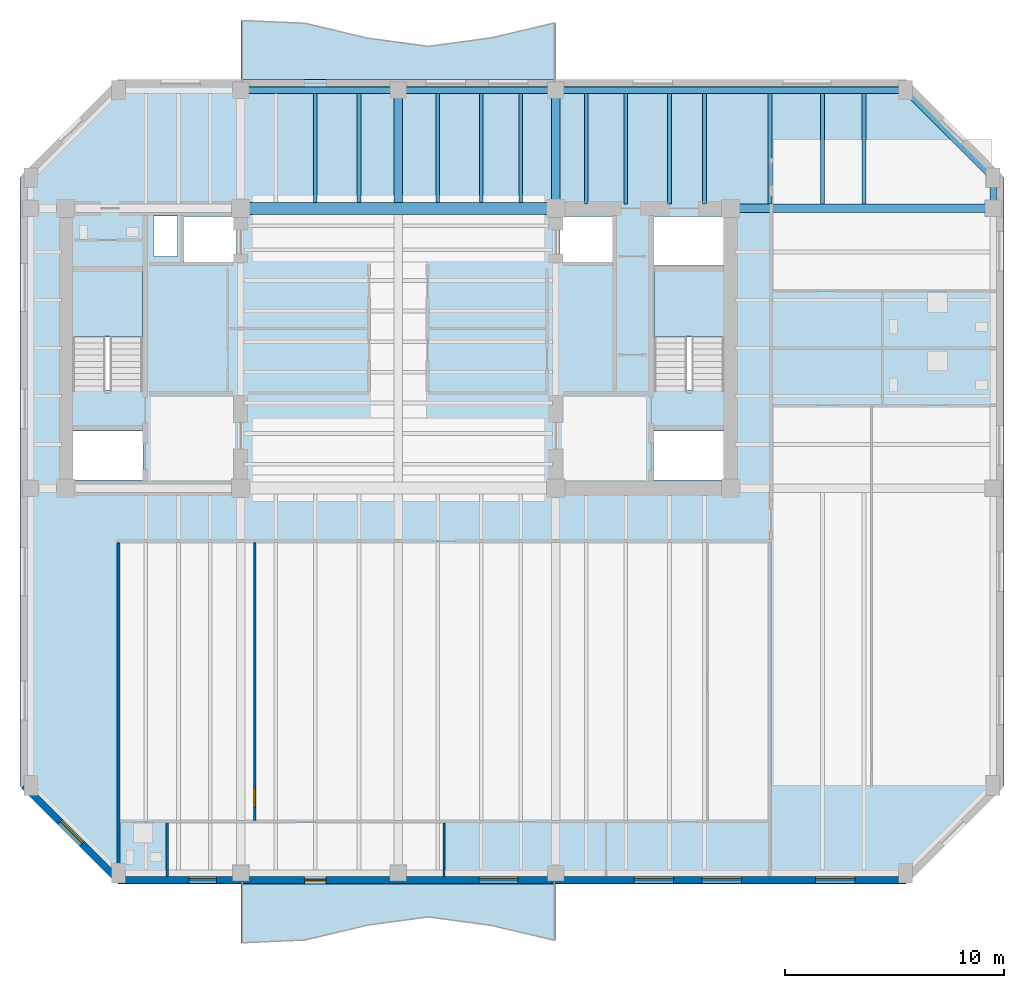
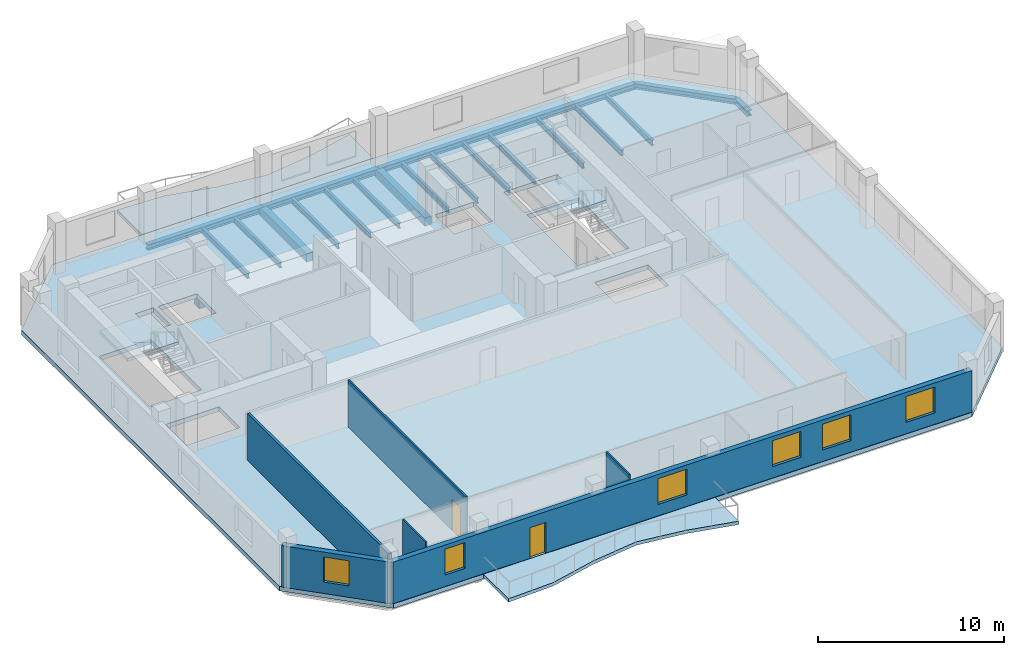
# One storey, part 2 of 9: 21 beams, 6 walls, 6 windows, 5 slabs, 2 doors, 8 openings, 2 elements without a shape of their own.
"""IFC4 building model written with IfcOpenShell, lengths in metres."""

import ifcopenshell
import ifcopenshell.guid

model = None  # the IFC model being written
_history = None  # IfcOwnerHistory: only IFC2X3 demands one
_inside = {}  # id of a spatial element -> (the spatial element, [elements in it])
_under = {}  # id of a project, library or spatial element -> (it, [spatial elements below it])
_declared = {}  # id of a project -> (the project, [libraries it declares])
_typed = {}  # id of a type object -> (the type object, [elements of that type])
_made_of = {}  # id of a material, layer set ... -> (it, [elements and type objects made of it])


def new_model(schema):
    """Start an empty IFC model of exactly this schema.

    Asked for "IFC4X3", IfcOpenShell would pick the latest addendum, in which some entities
    have other attributes; the version numbers below select the first issue.
    IFC2X3 requires an IfcOwnerHistory on every rooted entity: one is made here for all.
    """
    global model, _history
    if schema == "IFC4X3":
        model = ifcopenshell.file(schema_version=(4, 3, 0, 0))
    else:
        model = ifcopenshell.file(schema=schema)
    _inside.clear()
    _under.clear()
    _declared.clear()
    _typed.clear()
    _made_of.clear()
    _history = None
    if model.schema == "IFC2X3":
        org = make("IfcOrganization", Name="unknown")
        user = make(
            "IfcPersonAndOrganization",
            ThePerson=make("IfcPerson", FamilyName="unknown"),
            TheOrganization=org,
        )
        app = make(
            "IfcApplication",
            ApplicationDeveloper=org,
            Version="unknown",
            ApplicationFullName="unknown",
            ApplicationIdentifier="unknown",
        )
        _history = make(
            "IfcOwnerHistory",
            OwningUser=user,
            OwningApplication=app,
            ChangeAction="ADDED",
            CreationDate=0,
        )
    return model


def make(cls, **values):
    """One entity of the class cls with the attributes given. An attribute that is None is left unset."""
    return model.create_entity(
        cls, **{name: value for name, value in values.items() if value is not None}
    )


def rooted(cls, **values):
    """An entity with a GlobalId (a new one), such as an element, a storey or a relation."""
    return make(cls, GlobalId=ifcopenshell.guid.new(), OwnerHistory=_history, **values)


def si_unit(unit_type, name, prefix=None):
    """IfcSIUnit, for example si_unit("LENGTHUNIT", "METRE", prefix="MILLI")."""
    return make("IfcSIUnit", UnitType=unit_type, Prefix=prefix, Name=name)


def assignment(units):
    """IfcUnitAssignment: the units of a project."""
    return None if units is None else make("IfcUnitAssignment", Units=units)


def point(xyz):
    """IfcCartesianPoint."""
    return None if xyz is None else make("IfcCartesianPoint", Coordinates=xyz)


def direction(xyz):
    """IfcDirection."""
    return None if xyz is None else make("IfcDirection", DirectionRatios=xyz)


def frame(location, z_axis=None, x_axis=None):
    """IfcAxis2Placement3D, a coordinate frame: its origin and axes. An axis left out is left unset."""
    return make(
        "IfcAxis2Placement3D",
        Location=point(location),
        Axis=direction(z_axis),
        RefDirection=direction(x_axis),
    )


def frame_2d(location, x_axis=None):
    """IfcAxis2Placement2D, a coordinate frame in the plane: its origin and x axis."""
    return make(
        "IfcAxis2Placement2D", Location=point(location), RefDirection=direction(x_axis)
    )


def origin():
    """The frame at (0, 0, 0) with its axes left unset."""
    return frame((0.0, 0.0, 0.0))


def origin_2d():
    """The frame at (0, 0) in the plane with its x axis left unset."""
    return frame_2d((0.0, 0.0))


def place(relative_to, where):
    """IfcLocalPlacement: puts the frame where relative to a parent placement (None: the world)."""
    return make(
        "IfcLocalPlacement", PlacementRelTo=relative_to, RelativePlacement=where
    )


def context(
    kind, dimensions, precision=None, world=None, true_north=None, identifier=None
):
    """IfcGeometricRepresentationContext, for example the 3D "Model" context."""
    return make(
        "IfcGeometricRepresentationContext",
        ContextIdentifier=identifier,
        ContextType=kind,
        CoordinateSpaceDimension=dimensions,
        Precision=precision,
        WorldCoordinateSystem=world,
        TrueNorth=true_north,
    )


def subcontext(parent, identifier, kind, view, scale=None):
    """IfcGeometricRepresentationSubContext, for example "Body" below "Model"."""
    return make(
        "IfcGeometricRepresentationSubContext",
        ContextIdentifier=identifier,
        ContextType=kind,
        ParentContext=parent,
        TargetScale=scale,
        TargetView=view,
    )


def project(units=None, contexts=None):
    """IfcProject with its units and contexts."""
    return rooted(
        "IfcProject",
        Name="project",
        RepresentationContexts=contexts,
        UnitsInContext=assignment(units),
    )


def spatial(cls, under=None, at=None, **own):
    """A site, building, storey or space (cls), placed at a placement, below another one or the project."""
    s = rooted(cls, ObjectPlacement=at, **own)
    if under is not None:
        _under.setdefault(under.id(), (under, []))[1].append(s)
    return s


def polyline(points):
    """IfcPolyline through the points."""
    return make("IfcPolyline", Points=[point(p) for p in points])


def profile(cls, at=None, kind="AREA", **sizes):
    """A parametric profile (cls). Its sizes go by their IFC names, for example OverallWidth=200.0."""
    return make(cls, ProfileType=kind, Position=at, **sizes)


def rectangle(**sizes):
    """IfcRectangleProfileDef."""
    return profile("IfcRectangleProfileDef", **sizes)


def i_section(**sizes):
    """IfcIShapeProfileDef."""
    return profile("IfcIShapeProfileDef", **sizes)


def outline(outer, holes=None, kind="AREA"):
    """IfcArbitraryClosedProfileDef: a profile drawn as a closed curve; with holes, ...WithVoids."""
    if holes is None:
        return make("IfcArbitraryClosedProfileDef", ProfileType=kind, OuterCurve=outer)
    return make(
        "IfcArbitraryProfileDefWithVoids",
        ProfileType=kind,
        OuterCurve=outer,
        InnerCurves=holes,
    )


def extrude(swept, where, along, depth):
    """IfcExtrudedAreaSolid: the profile swept, set in the frame where, extruded along a direction by depth."""
    return make(
        "IfcExtrudedAreaSolid",
        SweptArea=swept,
        Position=where,
        ExtrudedDirection=direction(along),
        Depth=depth,
    )


def shape(context_of_items, identifier, shape_type, items):
    """IfcShapeRepresentation: the items that make up one representation, for example the "Body"."""
    return make(
        "IfcShapeRepresentation",
        ContextOfItems=context_of_items,
        RepresentationIdentifier=identifier,
        RepresentationType=shape_type,
        Items=items,
    )


def material(Name=None, Category=None):
    """IfcMaterial."""
    return make("IfcMaterial", Name=Name, Category=Category)


def layer(
    of_material, thickness, ventilated=None, Name=None, Category=None, Priority=None
):
    """IfcMaterialLayer: one layer of a wall or slab, of a material (None: an air gap)."""
    return make(
        "IfcMaterialLayer",
        Material=of_material,
        LayerThickness=thickness,
        IsVentilated=ventilated,
        Name=Name,
        Category=Category,
        Priority=Priority,
    )


def layer_set(layers, Name=None):
    """IfcMaterialLayerSet."""
    return make("IfcMaterialLayerSet", MaterialLayers=layers, LayerSetName=Name)


def material_profile(
    of_material, cross_section, Name=None, Category=None, Priority=None
):
    """IfcMaterialProfile: a cross section and its material."""
    return make(
        "IfcMaterialProfile",
        Name=Name,
        Material=of_material,
        Profile=cross_section,
        Priority=Priority,
        Category=Category,
    )


def profile_set(profiles, Name=None, composite=None):
    """IfcMaterialProfileSet."""
    return make(
        "IfcMaterialProfileSet",
        Name=Name,
        MaterialProfiles=profiles,
        CompositeProfile=composite,
    )


def made_of(thing, what):
    """Note that an element or type object is made of a material, layer set ...; save() writes the relation."""
    if what is not None:
        _made_of.setdefault(what.id(), (what, []))[1].append(thing)
    return thing


def type_object(cls, material=None, **own):
    """A type object (cls), such as IfcWallType, which elements share."""
    return made_of(rooted(cls, **own), material)


def element(
    cls,
    number,
    at=None,
    inside=None,
    cuts=None,
    type_object=None,
    material=None,
    context=None,
    identifier="Body",
    shape_type=None,
    held_by="IfcProductDefinitionShape",
    body=None,
    shapes=None,
    **own,
):
    """One element of the class cls, such as IfcWall. Its Tag is "e" and its number.

    at: its placement. inside: the storey or other place that contains it. cuts: it is an
    opening in that element (IfcRelVoidsElement). A single representation is given by context,
    identifier, shape_type and body (its items); several are given by shapes. held_by: the class
    of the entity that holds the representations. save() writes the other relations.
    """
    e = rooted(cls, Tag="e%d" % number, ObjectPlacement=at, **own)
    if body is not None:
        shapes = [shape(context, identifier, shape_type, body)]
    if shapes is not None:
        e.Representation = make(held_by, Representations=shapes)
    if inside is not None:
        _inside.setdefault(inside.id(), (inside, []))[1].append(e)
    if cuts is not None:
        rooted(
            "IfcRelVoidsElement", RelatingBuildingElement=cuts, RelatedOpeningElement=e
        )
    if type_object is not None:
        _typed.setdefault(type_object.id(), (type_object, []))[1].append(e)
    return made_of(e, material)


def fill(opening, filler):
    """IfcRelFillsElement: the door or window that sits in an opening."""
    return rooted(
        "IfcRelFillsElement",
        RelatingOpeningElement=opening,
        RelatedBuildingElement=filler,
    )


def aggregate(whole, parts):
    """IfcRelAggregates: a whole, such as a stair, and the parts it consists of."""
    return rooted("IfcRelAggregates", RelatingObject=whole, RelatedObjects=parts)


def save(model, path):
    """Write the relations noted so far, then the file.

    IfcRelAggregates (storeys below a building ...), IfcRelContainedInSpatialStructure (elements
    in a storey), IfcRelDefinesByType, IfcRelAssociatesMaterial and IfcRelDeclares: one each for
    every whole, place, type object, material and project.
    """
    for whole, parts in _under.values():
        aggregate(whole, parts)
    for where, things in _inside.values():
        rooted(
            "IfcRelContainedInSpatialStructure",
            RelatedElements=things,
            RelatingStructure=where,
        )
    for kind, things in _typed.values():
        rooted("IfcRelDefinesByType", RelatedObjects=things, RelatingType=kind)
    for what, things in _made_of.values():
        rooted("IfcRelAssociatesMaterial", RelatedObjects=things, RelatingMaterial=what)
    for by, libraries in _declared.values():
        rooted("IfcRelDeclares", RelatingContext=by, RelatedDefinitions=libraries)
    model.write(path)


model = new_model("IFC4")

# Units and contexts
model_context = context("Model", 3, precision=1e-05, world=origin(), true_north=direction((0.0, 1.0)))
body_context = subcontext(model_context, "Body", "Model", "MODEL_VIEW")
ifc_project = project(units=[si_unit("LENGTHUNIT", "METRE"), si_unit("AREAUNIT", "SQUARE_METRE"), si_unit("VOLUMEUNIT", "CUBIC_METRE"), si_unit("PLANEANGLEUNIT", "RADIAN"), si_unit("MASSUNIT", "GRAM", prefix="KILO")], contexts=[model_context])

# Site, building, storey
site_placement = place(None, origin())
site = spatial("IfcSite", under=ifc_project, at=site_placement, CompositionType="ELEMENT")
building_placement = place(site_placement, origin())
building = spatial("IfcBuilding", under=site, at=building_placement, Name="Kranthara Brick Stack", CompositionType="ELEMENT")
storey_placement = place(building_placement, frame((0.0, 0.0, 238.10009765625)))
storey = spatial("IfcBuildingStorey", under=building, at=storey_placement, Name="L62", CompositionType="ELEMENT", Elevation=238.10009765625)

# Beams
ifc_material_1 = material(Name="Concrete C50/60", Category="concrete")
ifc_material_profile_1 = material_profile(ifc_material_1, rectangle(XDim=0.550048828125, YDim=0.85009765625, at=origin_2d()), Name="RC 550x850")
ifc_profile_set_1 = profile_set([ifc_material_profile_1], Name="Concrete C50/60")
beam_type_1 = type_object("IfcBeamType", Name="BM-CPL-RC850", PredefinedType="LINTEL", material=ifc_profile_set_1)
beam_1_placement = place(storey_placement, frame((20.800048828125, 33.60009765625, -0.72509765625), z_axis=(1.0, 0.0, 0.0), x_axis=(0.0, 1.0, 0.0)))
element("IfcBeam", 1, at=beam_1_placement, inside=storey, type_object=beam_type_1, Name="L62 Core Coupling Beam 002", PredefinedType="LINTEL", context=body_context, shape_type="SweptSolid", body=[
    extrude(rectangle(XDim=0.550048828125, YDim=0.85009765625, at=origin_2d()), origin(), (0.0, 0.0, 1.0), 14.39990234375),
])
ifc_material_2 = material(Name="Post-tensioned concrete C45/55", Category="concrete")
ifc_material_profile_2 = material_profile(ifc_material_2, rectangle(XDim=0.39990234375, YDim=0.550048828125, at=origin_2d()), Name="PT 400x550")
ifc_profile_set_2 = profile_set([ifc_material_profile_2], Name="Post-tensioned concrete C45/55")
beam_type_2 = type_object("IfcBeamType", Name="BM-FLR-PT550", PredefinedType="BEAM", material=ifc_profile_set_2)
beam_2_placement = place(storey_placement, frame((28.0, 33.875, -0.5751953125), z_axis=(0.0, 1.0, 0.0), x_axis=(-1.0, 0.0, 0.0)))
element("IfcBeam", 2, at=beam_2_placement, inside=storey, type_object=beam_type_2, Name="L62 Primary Grid Girder 027", PredefinedType="BEAM", context=body_context, shape_type="SweptSolid", body=[
    extrude(rectangle(XDim=0.39990234375, YDim=0.550048828125, at=origin_2d()), origin(), (0.0, 0.0, 1.0), 5.125),
])
beam_3_placement = place(storey_placement, frame((35.199951171875, 33.60009765625, -0.5751953125), z_axis=(0.0, 1.0, 0.0), x_axis=(-1.0, 0.0, 0.0)))
element("IfcBeam", 3, at=beam_3_placement, inside=storey, type_object=beam_type_2, Name="L62 Primary Grid Girder 029", PredefinedType="BEAM", context=body_context, shape_type="SweptSolid", body=[
    extrude(rectangle(XDim=0.39990234375, YDim=0.550048828125, at=origin_2d()), origin(), (0.0, 0.0, 1.0), 5.39990234375),
])
beam_4_placement = place(storey_placement, frame((43.199951171875, 33.60009765625, -0.5751953125), z_axis=(1.0, 0.0, 0.0), x_axis=(0.0, 1.0, 0.0)))
element("IfcBeam", 4, at=beam_4_placement, inside=storey, type_object=beam_type_2, Name="L62 Primary Grid Girder 033", PredefinedType="BEAM", context=body_context, shape_type="SweptSolid", body=[
    extrude(rectangle(XDim=0.39990234375, YDim=0.550048828125, at=origin_2d()), origin(), (0.0, 0.0, 1.0), 12.0),
])
ifc_material_3 = material(Name="Steel S355", Category="steel")
ifc_material_profile_3 = material_profile(ifc_material_3, i_section(OverallWidth=0.169921875, OverallDepth=0.360107421875, WebThickness=0.008056640625, FlangeThickness=0.0126953125, at=origin_2d()), Name="IPE 360")
ifc_profile_set_3 = profile_set([ifc_material_profile_3], Name="Steel S355")
beam_type_3 = type_object("IfcBeamType", Name="BM-JST-IPE360", PredefinedType="JOIST", material=ifc_profile_set_3)
for number, where, z_axis, x_axis, name in (
    (5, (24.199951171875, 33.875, -0.47998046875), (0.0, 1.0, 0.0), (-1.0, 0.0, 0.0), "L62 North Wing Floor Joist 061"),
    (6, (26.199951171875, 33.875, -0.47998046875), (0.0, 1.0, 0.0), (-1.0, 0.0, 0.0), "L62 North Wing Floor Joist 063"),
    (7, (29.800048828125, 33.875, -0.47998046875), (0.0, 1.0, 0.0), (-1.0, 0.0, 0.0), "L62 North Wing Floor Joist 065"),
    (8, (31.800048828125, 33.875, -0.47998046875), (0.0, 1.0, 0.0), (-1.0, 0.0, 0.0), "L62 North Wing Floor Joist 067"),
    (9, (33.60009765625, 33.875, -0.47998046875), (0.0, 1.0, 0.0), (-1.0, 0.0, 0.0), "L62 North Wing Floor Joist 069"),
):
    element("IfcBeam", number, at=place(storey_placement, frame(where, z_axis=z_axis, x_axis=x_axis)), inside=storey, type_object=beam_type_3, Name=name, PredefinedType="JOIST", context=body_context, shape_type="SweptSolid", body=[
        extrude(i_section(OverallWidth=0.169921875, OverallDepth=0.360107421875, WebThickness=0.008056640625, FlangeThickness=0.0126953125, at=origin_2d()), origin(), (0.0, 0.0, 1.0), 4.97509765625),
    ])
for number, where, z_axis, x_axis, name in (
    (10, (36.60009765625, 33.800048828125, -0.47998046875), (0.0, 1.0, 0.0), (-1.0, 0.0, 0.0), "L62 North Wing Floor Joist 071"),
    (11, (38.39990234375, 33.800048828125, -0.47998046875), (0.0, 1.0, 0.0), (-1.0, 0.0, 0.0), "L62 North Wing Floor Joist 073"),
    (12, (40.39990234375, 33.800048828125, -0.47998046875), (0.0, 1.0, 0.0), (-1.0, 0.0, 0.0), "L62 North Wing Floor Joist 075"),
    (13, (42.0, 33.800048828125, -0.47998046875), (0.0, 1.0, 0.0), (-1.0, 0.0, 0.0), "L62 North Wing Floor Joist 077"),
    (14, (45.0, 33.800048828125, -0.47998046875), (0.0, 1.0, 0.0), (-1.0, 0.0, 0.0), "L62 North Wing Floor Joist 079"),
    (15, (47.39990234375, 33.800048828125, -0.47998046875), (0.0, 1.0, 0.0), (-1.0, 0.0, 0.0), "L62 North Wing Floor Joist 081"),
    (16, (49.300048828125, 33.800048828125, -0.47998046875), (0.0, 1.0, 0.0), (-1.0, 0.0, 0.0), "L62 North Wing Floor Joist 083"),
):
    element("IfcBeam", number, at=place(storey_placement, frame(where, z_axis=z_axis, x_axis=x_axis)), inside=storey, type_object=beam_type_3, Name=name, PredefinedType="JOIST", context=body_context, shape_type="SweptSolid", body=[
        extrude(i_section(OverallWidth=0.169921875, OverallDepth=0.360107421875, WebThickness=0.008056640625, FlangeThickness=0.0126953125, at=origin_2d()), origin(), (0.0, 0.0, 1.0), 5.050048828125),
    ])
ifc_material_4 = material(Name="Steel S355", Category="steel")
ifc_material_profile_4 = material_profile(ifc_material_4, i_section(OverallWidth=0.300048828125, OverallDepth=0.360107421875, WebThickness=0.012451171875, FlangeThickness=0.0224609375, at=origin_2d()), Name="HEB 360")
ifc_profile_set_4 = profile_set([ifc_material_profile_4], Name="Steel S355")
beam_type_4 = type_object("IfcBeamType", Name="BM-STL-HEB360", PredefinedType="SPANDREL", material=ifc_profile_set_4)
for number, where, z_axis, x_axis, name in (
    (17, (20.800048828125, 39.0, -0.47998046875), (1.0, 0.0, 0.0), (0.0, 1.0, 0.0), "L62 Perimeter Spandrel Beam 010"),
    (18, (28.0, 39.0, -0.47998046875), (1.0, 0.0, 0.0), (0.0, 1.0, 0.0), "L62 Perimeter Spandrel Beam 011"),
):
    element("IfcBeam", number, at=place(storey_placement, frame(where, z_axis=z_axis, x_axis=x_axis)), inside=storey, type_object=beam_type_4, Name=name, PredefinedType="SPANDREL", context=body_context, shape_type="SweptSolid", body=[
        extrude(i_section(OverallWidth=0.300048828125, OverallDepth=0.360107421875, WebThickness=0.012451171875, FlangeThickness=0.0224609375, at=origin_2d()), origin(), (0.0, 0.0, 1.0), 7.199951171875),
    ])
beam_5_placement = place(storey_placement, frame((35.199951171875, 39.0, -0.47998046875), z_axis=(1.0, 0.0, 0.0), x_axis=(0.0, 1.0, 0.0)))
element("IfcBeam", 19, at=beam_5_placement, inside=storey, type_object=beam_type_4, Name="L62 Perimeter Spandrel Beam 012", PredefinedType="SPANDREL", context=body_context, shape_type="SweptSolid", body=[
    extrude(i_section(OverallWidth=0.300048828125, OverallDepth=0.360107421875, WebThickness=0.012451171875, FlangeThickness=0.0224609375, at=origin_2d()), origin(), (0.0, 0.0, 1.0), 16.0),
])
beam_6_placement = place(storey_placement, frame((55.199951171875, 33.60009765625, -0.47998046875), z_axis=(0.0, 1.0, 0.0), x_axis=(-1.0, 0.0, 0.0)))
element("IfcBeam", 20, at=beam_6_placement, inside=storey, type_object=beam_type_4, Name="L62 Perimeter Spandrel Beam 018", PredefinedType="SPANDREL", context=body_context, shape_type="SweptSolid", body=[
    extrude(i_section(OverallWidth=0.300048828125, OverallDepth=0.360107421875, WebThickness=0.012451171875, FlangeThickness=0.0224609375, at=origin_2d()), origin(), (0.0, 0.0, 1.0), 1.39990234375),
])
beam_7_placement = place(storey_placement, frame((51.199951171875, 39.0, -0.47998046875), z_axis=(0.707106781187, -0.707106781187, 0.0), x_axis=(0.707106781187, 0.707106781187, 0.0)))
element("IfcBeam", 21, at=beam_7_placement, inside=storey, type_object=beam_type_4, Name="L62 Chamfer Corner Spandrel 022", PredefinedType="SPANDREL", context=body_context, shape_type="SweptSolid", body=[
    extrude(i_section(OverallWidth=0.300048828125, OverallDepth=0.360107421875, WebThickness=0.012451171875, FlangeThickness=0.0224609375, at=origin_2d()), origin(), (0.0, 0.0, 1.0), 5.65673828125),
])

# Slabs
ifc_material_5 = material(Name="Concrete C45/55", Category="concrete")
ifc_layer_1 = layer(ifc_material_5, 0.219970703125)
ifc_layer_set_1 = layer_set([ifc_layer_1], Name="Concrete C45/55")
slab_type_1 = type_object("IfcSlabType", Name="SLB-BALC-220", PredefinedType="FLOOR", material=ifc_layer_set_1)
slab_1_placement = place(storey_placement, frame((0.0, 0.0, -0.22021484375)))
element("IfcSlab", 22, at=slab_1_placement, inside=storey, type_object=slab_type_1, Name="L62 South Rippling Balcony Slab", PredefinedType="FLOOR", context=body_context, shape_type="SweptSolid", body=[
    extrude(outline(polyline([(20.800048828125, 2.699951171875), (35.199951171875, 2.699951171875), (35.199951171875, 0.117431640625), (32.320068359375, 0.800537109375), (29.43994140625, 1.199951171875), (26.56005859375, 0.8134765625), (23.679931640625, 0.126953125), (20.800048828125, 0.004150390625), (20.800048828125, 2.699951171875)])), origin(), (0.0, 0.0, 1.0), 0.22021484375),
])
slab_2_placement = place(storey_placement, frame((0.0, 0.0, -0.22021484375)))
element("IfcSlab", 23, at=slab_2_placement, inside=storey, type_object=slab_type_1, Name="L62 North Rippling Balcony Slab", PredefinedType="FLOOR", context=body_context, shape_type="SweptSolid", body=[
    extrude(outline(polyline([(35.199951171875, 39.5), (20.800048828125, 39.5), (20.800048828125, 42.196044921875), (23.679931640625, 42.072998046875), (26.56005859375, 41.38671875), (29.43994140625, 41.0), (32.320068359375, 41.3994140625), (35.199951171875, 42.08251953125), (35.199951171875, 39.5)])), origin(), (0.0, 0.0, 1.0), 0.22021484375),
])

# Stair, slab
ifc_material_6 = material(Name="Concrete C45/55", Category="concrete")
stair_type = type_object("IfcStairType", Name="ST-CORE-20R", PredefinedType="HALF_TURN_STAIR", material=ifc_material_6)
stair_1_placement = place(storey_placement, origin())
stair_1 = element("IfcStair", 24, at=stair_1_placement, inside=storey, type_object=stair_type, Name="L62 West Core Protected Exit Stair ST01", PredefinedType="HALF_TURN_STAIR")
ifc_material_7 = material(Name="Concrete C45/55", Category="concrete")
ifc_layer_2 = layer(ifc_material_7, 0.199951171875)
ifc_layer_set_2 = layer_set([ifc_layer_2], Name="Concrete C45/55")
slab_type_2 = type_object("IfcSlabType", Name="SLB-LANDING-200", PredefinedType="LANDING", material=ifc_layer_set_2)
slab_3_placement = place(storey_placement, frame((0.0, 0.0, 1.5)))
slab_3 = element("IfcSlab", 25, at=slab_3_placement, type_object=slab_type_2, Name="ST01 landing 1", PredefinedType="LANDING", context=body_context, shape_type="SweptSolid", body=[
    extrude(outline(polyline([(16.300048828125, 27.719970703125), (16.300048828125, 30.75), (13.10009765625, 30.75), (13.10009765625, 27.719970703125), (16.300048828125, 27.719970703125)])), origin(), (0.0, 0.0, 1.0), 0.199951171875),
])
aggregate(stair_1, [slab_3])

stair_2_placement = place(storey_placement, origin())
stair_2 = element("IfcStair", 26, at=stair_2_placement, inside=storey, type_object=stair_type, Name="L62 East Core Protected Exit Stair ST02", PredefinedType="HALF_TURN_STAIR")
slab_4_placement = place(storey_placement, frame((0.0, 0.0, 1.5)))
slab_4 = element("IfcSlab", 27, at=slab_4_placement, type_object=slab_type_2, Name="ST02 landing 1", PredefinedType="LANDING", context=body_context, shape_type="SweptSolid", body=[
    extrude(outline(polyline([(42.89990234375, 27.719970703125), (42.89990234375, 30.75), (39.699951171875, 30.75), (39.699951171875, 27.719970703125), (42.89990234375, 27.719970703125)])), origin(), (0.0, 0.0, 1.0), 0.199951171875),
])
aggregate(stair_2, [slab_4])

# Slab
ifc_material_8 = material(Name="Post-tensioned concrete C45/55", Category="concrete")
ifc_layer_3 = layer(ifc_material_8, 0.300048828125)
ifc_layer_set_3 = layer_set([ifc_layer_3], Name="Post-tensioned concrete C45/55")
slab_type_3 = type_object("IfcSlabType", Name="SLB-TWR-300", PredefinedType="FLOOR", material=ifc_layer_set_3)
slab_5_placement = place(storey_placement, frame((0.0, 0.0, -0.300048828125)))
element("IfcSlab", 28, at=slab_5_placement, inside=storey, type_object=slab_type_3, Name="L62 Structural Floor Plate", PredefinedType="FLOOR", context=body_context, shape_type="SweptSolid", body=[
    extrude(outline(polyline([(15.199951171875, 2.699951171875), (51.199951171875, 2.699951171875), (55.699951171875, 7.199951171875), (55.699951171875, 35.0), (51.199951171875, 39.5), (15.199951171875, 39.5), (10.699951171875, 35.0), (10.699951171875, 7.199951171875), (15.199951171875, 2.699951171875)]), holes=[polyline([(13.10009765625, 25.280029296875), (16.300048828125, 25.280029296875), (16.300048828125, 30.75), (13.10009765625, 30.75), (13.10009765625, 25.280029296875)]), polyline([(39.699951171875, 25.280029296875), (42.89990234375, 25.280029296875), (42.89990234375, 30.75), (39.699951171875, 30.75), (39.699951171875, 25.280029296875)]), polyline([(13.0, 21.179931640625), (16.320068359375, 21.179931640625), (16.320068359375, 23.419921875), (13.0, 23.419921875), (13.0, 21.179931640625)]), polyline([(39.679931640625, 21.179931640625), (43.0, 21.179931640625), (43.0, 23.419921875), (39.679931640625, 23.419921875), (39.679931640625, 21.179931640625)]), polyline([(39.679931640625, 30.97998046875), (43.0, 30.97998046875), (43.0, 33.219970703125), (39.679931640625, 33.219970703125), (39.679931640625, 30.97998046875)]), polyline([(18.199951171875, 31.14990234375), (20.60009765625, 31.14990234375), (20.60009765625, 33.219970703125), (18.199951171875, 33.219970703125), (18.199951171875, 31.14990234375)]), polyline([(35.39990234375, 31.14990234375), (37.800048828125, 31.14990234375), (37.800048828125, 33.219970703125), (35.39990234375, 33.219970703125), (35.39990234375, 31.14990234375)]), polyline([(16.800048828125, 31.39990234375), (17.89990234375, 31.39990234375), (17.89990234375, 33.25), (16.800048828125, 33.25), (16.800048828125, 31.39990234375)])]), origin(), (0.0, 0.0, 1.0), 0.300048828125),
])

# Wall, openings, door, windows
ifc_material_9 = material(Name="Warm buff clay brick masonry M15", Category="masonry")
ifc_layer_4 = layer(ifc_material_9, 0.320068359375)
ifc_layer_set_4 = layer_set([ifc_layer_4], Name="Warm buff clay brick masonry M15")
wall_type_1 = type_object("IfcWallType", Name="WL-BRK-UPPR-320", PredefinedType="STANDARD", material=ifc_layer_set_4)
wall_1_placement = place(storey_placement, frame((51.199951171875, 2.8798828125, 0.0), z_axis=(0.0, 0.0, 1.0), x_axis=(-1.0, 0.0, 0.0)))
wall_1 = element("IfcWall", 29, at=wall_1_placement, inside=storey, type_object=wall_type_1, Name="L62 Exterior Brick Facade Wall SOUTH 1", PredefinedType="STANDARD", context=body_context, shape_type="SweptSolid", body=[
    extrude(rectangle(XDim=36.0, YDim=0.320068359375, at=frame_2d((18.0, 0.0))), origin(), (0.0, 0.0, 1.0), 2.724853515625),
])
opening_1_placement = place(wall_1_placement, frame((26.5, 0.0, 0.0)))
opening_1 = element("IfcOpeningElement", 30, at=opening_1_placement, cuts=wall_1, Name="Opening D03", PredefinedType="OPENING", context=body_context, shape_type="SweptSolid", body=[
    extrude(rectangle(XDim=1.0, YDim=2.02001953125, at=frame_2d((0.5, 1.010009765625))), frame((0.0, 0.169921875, 0.0), z_axis=(0.0, -1.0, 0.0), x_axis=(1.0, 0.0, 0.0)), (0.0, 0.0, 1.0), 0.340087890625),
])
opening_2_placement = place(wall_1_placement, frame((2.31005859375, 0.0, 0.75)))
opening_2 = element("IfcOpeningElement", 31, at=opening_2_placement, cuts=wall_1, Name="Opening WN07", PredefinedType="OPENING", context=body_context, shape_type="SweptSolid", body=[
    extrude(rectangle(XDim=1.800048828125, YDim=1.699951171875, at=frame_2d((0.89990234375, 0.85009765625))), frame((0.0, 0.169921875, 0.0), z_axis=(0.0, -1.0, 0.0), x_axis=(1.0, 0.0, 0.0)), (0.0, 0.0, 1.0), 0.340087890625),
])
opening_3_placement = place(wall_1_placement, frame((7.506103515625, 0.0, 0.75)))
opening_3 = element("IfcOpeningElement", 32, at=opening_3_placement, cuts=wall_1, Name="Opening WN07", PredefinedType="OPENING", context=body_context, shape_type="SweptSolid", body=[
    extrude(rectangle(XDim=1.800048828125, YDim=1.699951171875, at=frame_2d((0.89990234375, 0.85009765625))), frame((0.0, 0.169921875, 0.0), z_axis=(0.0, -1.0, 0.0), x_axis=(1.0, 0.0, 0.0)), (0.0, 0.0, 1.0), 0.340087890625),
])
opening_4_placement = place(wall_1_placement, frame((10.618896484375, 0.0, 0.75)))
opening_4 = element("IfcOpeningElement", 33, at=opening_4_placement, cuts=wall_1, Name="Opening WN07", PredefinedType="OPENING", context=body_context, shape_type="SweptSolid", body=[
    extrude(rectangle(XDim=1.800048828125, YDim=1.699951171875, at=frame_2d((0.89990234375, 0.85009765625))), frame((0.0, 0.169921875, 0.0), z_axis=(0.0, -1.0, 0.0), x_axis=(1.0, 0.0, 0.0)), (0.0, 0.0, 1.0), 0.340087890625),
])
opening_5_placement = place(wall_1_placement, frame((17.718017578125, 0.0, 0.75)))
opening_5 = element("IfcOpeningElement", 34, at=opening_5_placement, cuts=wall_1, Name="Opening WN07", PredefinedType="OPENING", context=body_context, shape_type="SweptSolid", body=[
    extrude(rectangle(XDim=1.800048828125, YDim=1.699951171875, at=frame_2d((0.89990234375, 0.85009765625))), frame((0.0, 0.169921875, 0.0), z_axis=(0.0, -1.0, 0.0), x_axis=(1.0, 0.0, 0.0)), (0.0, 0.0, 1.0), 0.340087890625),
])
opening_6_placement = place(wall_1_placement, frame((31.52294921875, 0.0, 0.75)))
opening_6 = element("IfcOpeningElement", 35, at=opening_6_placement, cuts=wall_1, Name="Opening WN09", PredefinedType="OPENING", context=body_context, shape_type="SweptSolid", body=[
    extrude(rectangle(XDim=1.25, YDim=1.699951171875, at=frame_2d((0.625, 0.85009765625))), frame((0.0, 0.169921875, 0.0), z_axis=(0.0, -1.0, 0.0), x_axis=(1.0, 0.0, 0.0)), (0.0, 0.0, 1.0), 0.340087890625),
])
ifc_material_10 = material(Name="Bronze anodised aluminium and laminated glass", Category="aluminium")
door_type_1 = type_object("IfcDoorType", Name="DR-BALC-1000", OperationType="NOTDEFINED", PredefinedType="DOOR", material=ifc_material_10)
door_1_placement = place(opening_1_placement, origin())
door_1 = element("IfcDoor", 36, at=door_1_placement, inside=storey, type_object=door_type_1, Name="L62 South Balcony Terrace Door", OperationType="SINGLE_SWING_LEFT", OverallHeight=2.02001953125, OverallWidth=1.0, PredefinedType="DOOR", context=body_context, shape_type="SweptSolid", body=[
    extrude(rectangle(XDim=1.0, YDim=2.02001953125, at=frame_2d((0.5, 1.010009765625))), frame((0.0, 0.02490234375, 0.0), z_axis=(0.0, -1.0, 0.0), x_axis=(1.0, 0.0, 0.0)), (0.0, 0.0, 1.0), 0.050048828125),
])
fill(opening_1, door_1)
ifc_material_11 = material(Name="Double-glazed low-E solar control glass", Category="glass")
window_type_1 = type_object("IfcWindowType", Name="WN-RES-1250x1850", PartitioningType="SINGLE_PANEL", PredefinedType="WINDOW", material=ifc_material_11)
window_1_placement = place(opening_6_placement, origin())
window_1 = element("IfcWindow", 37, at=window_1_placement, inside=storey, type_object=window_type_1, Name="L62 South Deep-Set Brick Window 05", OverallHeight=1.699951171875, OverallWidth=1.25, PartitioningType="SINGLE_PANEL", PredefinedType="WINDOW", context=body_context, shape_type="SweptSolid", body=[
    extrude(rectangle(XDim=1.25, YDim=1.699951171875, at=frame_2d((0.625, 0.85009765625))), frame((0.0, -0.010009765625, 0.0), z_axis=(0.0, -1.0, 0.0), x_axis=(1.0, 0.0, 0.0)), (0.0, 0.0, 1.0), 0.06005859375),
])
fill(opening_6, window_1)
ifc_material_12 = material(Name="Double-glazed low-E solar control glass", Category="glass")
window_type_2 = type_object("IfcWindowType", Name="WN-RES-1800x1850", PartitioningType="DOUBLE_PANEL_VERTICAL", PredefinedType="WINDOW", material=ifc_material_12)
window_2_placement = place(opening_2_placement, origin())
window_2 = element("IfcWindow", 38, at=window_2_placement, inside=storey, type_object=window_type_2, Name="L62 South Deep-Set Brick Window 01", OverallHeight=1.699951171875, OverallWidth=1.800048828125, PartitioningType="SINGLE_PANEL", PredefinedType="WINDOW", context=body_context, shape_type="SweptSolid", body=[
    extrude(rectangle(XDim=1.800048828125, YDim=1.699951171875, at=frame_2d((0.89990234375, 0.85009765625))), frame((0.0, -0.010009765625, 0.0), z_axis=(0.0, -1.0, 0.0), x_axis=(1.0, 0.0, 0.0)), (0.0, 0.0, 1.0), 0.06005859375),
])
fill(opening_2, window_2)
window_3_placement = place(opening_3_placement, origin())
window_3 = element("IfcWindow", 39, at=window_3_placement, inside=storey, type_object=window_type_2, Name="L62 South Deep-Set Brick Window 02", OverallHeight=1.699951171875, OverallWidth=1.800048828125, PartitioningType="SINGLE_PANEL", PredefinedType="WINDOW", context=body_context, shape_type="SweptSolid", body=[
    extrude(rectangle(XDim=1.800048828125, YDim=1.699951171875, at=frame_2d((0.89990234375, 0.85009765625))), frame((0.0, -0.010009765625, 0.0), z_axis=(0.0, -1.0, 0.0), x_axis=(1.0, 0.0, 0.0)), (0.0, 0.0, 1.0), 0.06005859375),
])
fill(opening_3, window_3)
window_4_placement = place(opening_4_placement, origin())
window_4 = element("IfcWindow", 40, at=window_4_placement, inside=storey, type_object=window_type_2, Name="L62 South Deep-Set Brick Window 03", OverallHeight=1.699951171875, OverallWidth=1.800048828125, PartitioningType="SINGLE_PANEL", PredefinedType="WINDOW", context=body_context, shape_type="SweptSolid", body=[
    extrude(rectangle(XDim=1.800048828125, YDim=1.699951171875, at=frame_2d((0.89990234375, 0.85009765625))), frame((0.0, -0.010009765625, 0.0), z_axis=(0.0, -1.0, 0.0), x_axis=(1.0, 0.0, 0.0)), (0.0, 0.0, 1.0), 0.06005859375),
])
fill(opening_4, window_4)
window_5_placement = place(opening_5_placement, origin())
window_5 = element("IfcWindow", 41, at=window_5_placement, inside=storey, type_object=window_type_2, Name="L62 South Deep-Set Brick Window 04", OverallHeight=1.699951171875, OverallWidth=1.800048828125, PartitioningType="SINGLE_PANEL", PredefinedType="WINDOW", context=body_context, shape_type="SweptSolid", body=[
    extrude(rectangle(XDim=1.800048828125, YDim=1.699951171875, at=frame_2d((0.89990234375, 0.85009765625))), frame((0.0, -0.010009765625, 0.0), z_axis=(0.0, -1.0, 0.0), x_axis=(1.0, 0.0, 0.0)), (0.0, 0.0, 1.0), 0.06005859375),
])
fill(opening_5, window_5)

# Wall, opening, window
wall_2_placement = place(storey_placement, frame((15.199951171875, 2.8798828125, 0.0), z_axis=(0.0, 0.0, 1.0), x_axis=(-0.707106781187, 0.707106781187, 0.0)))
wall_2 = element("IfcWall", 42, at=wall_2_placement, inside=storey, type_object=wall_type_1, Name="L62 Exterior Brick Facade Wall SW 1", PredefinedType="STANDARD", context=body_context, shape_type="SweptSolid", body=[
    extrude(rectangle(XDim=6.109619140625, YDim=0.320068359375, at=frame_2d((3.0546875, 0.0))), origin(), (0.0, 0.0, 1.0), 2.724853515625),
])
opening_7_placement = place(wall_2_placement, frame((2.35498046875, 0.0, 0.75)))
opening_7 = element("IfcOpeningElement", 43, at=opening_7_placement, cuts=wall_2, Name="Opening WN10", PredefinedType="OPENING", context=body_context, shape_type="SweptSolid", body=[
    extrude(rectangle(XDim=1.39990234375, YDim=1.64990234375, at=frame_2d((0.699951171875, 0.824951171875))), frame((0.0, 0.169921875, 0.0), z_axis=(0.0, -1.0, 0.0), x_axis=(1.0, 0.0, 0.0)), (0.0, 0.0, 1.0), 0.340087890625),
])
ifc_material_13 = material(Name="Double-glazed low-E solar control glass", Category="glass")
window_type_3 = type_object("IfcWindowType", Name="WN-CHM-1400x1750", PartitioningType="SINGLE_PANEL", PredefinedType="WINDOW", material=ifc_material_13)
window_6_placement = place(opening_7_placement, origin())
window_6 = element("IfcWindow", 44, at=window_6_placement, inside=storey, type_object=window_type_3, Name="L62 SW Chamfer Corner Window", OverallHeight=1.64990234375, OverallWidth=1.39990234375, PartitioningType="SINGLE_PANEL", PredefinedType="WINDOW", context=body_context, shape_type="SweptSolid", body=[
    extrude(rectangle(XDim=1.39990234375, YDim=1.64990234375, at=frame_2d((0.699951171875, 0.824951171875))), frame((0.0, -0.010009765625, 0.0), z_axis=(0.0, -1.0, 0.0), x_axis=(1.0, 0.0, 0.0)), (0.0, 0.0, 1.0), 0.06005859375),
])
fill(opening_7, window_6)

# Wall, opening, door
ifc_material_14 = material(Name="Moisture-resistant wet-room partition", Category="other")
ifc_layer_5 = layer(ifc_material_14, 0.10009765625)
ifc_layer_set_5 = layer_set([ifc_layer_5], Name="Moisture-resistant wet-room partition")
wall_type_2 = type_object("IfcWallType", Name="WL-PART-100", PredefinedType="PARTITIONING", material=ifc_layer_set_5)
wall_3_placement = place(storey_placement, frame((21.43603515625, 5.60498046875, 0.0), z_axis=(0.0, 0.0, 1.0), x_axis=(0.0, 1.0, 0.0)))
wall_3 = element("IfcWall", 45, at=wall_3_placement, inside=storey, type_object=wall_type_2, Name="L62 Interior Partition 016", PredefinedType="PARTITIONING", context=body_context, shape_type="SweptSolid", body=[
    extrude(rectangle(XDim=12.695068359375, YDim=0.10009765625, at=frame_2d((6.34765625, 0.0))), origin(), (0.0, 0.0, 1.0), 3.099853515625),
])
opening_8_placement = place(wall_3_placement, frame((0.60498046875, 0.0, 0.0)))
opening_8 = element("IfcOpeningElement", 46, at=opening_8_placement, cuts=wall_3, Name="Opening D15", PredefinedType="OPENING", context=body_context, shape_type="SweptSolid", body=[
    extrude(rectangle(XDim=0.89990234375, YDim=2.050048828125, at=frame_2d((0.449951171875, 1.02490234375))), frame((0.0, 0.06005859375, 0.0), z_axis=(0.0, -1.0, 0.0), x_axis=(1.0, 0.0, 0.0)), (0.0, 0.0, 1.0), 0.1201171875),
])
ifc_material_15 = material(Name="Solid-core hardwood timber leaf in steel frame", Category="steel")
door_type_2 = type_object("IfcDoorType", Name="DR-INT-900", OperationType="NOTDEFINED", PredefinedType="DOOR", material=ifc_material_15)
door_2_placement = place(opening_8_placement, origin())
door_2 = element("IfcDoor", 47, at=door_2_placement, inside=storey, type_object=door_type_2, Name="L62 Unit L62A Study 12", OperationType="SINGLE_SWING_RIGHT", OverallHeight=2.050048828125, OverallWidth=0.89990234375, PredefinedType="DOOR", context=body_context, shape_type="SweptSolid", body=[
    extrude(rectangle(XDim=0.89990234375, YDim=2.050048828125, at=frame_2d((0.449951171875, 1.02490234375))), frame((0.0, 0.02490234375, 0.0), z_axis=(0.0, -1.0, 0.0), x_axis=(1.0, 0.0, 0.0)), (0.0, 0.0, 1.0), 0.050048828125),
])
fill(opening_8, door_2)

# Walls
for number, where, z_axis, x_axis, name in (
    (48, (17.429931640625, 3.044921875, 0.0), (0.0, 0.0, 1.0), (0.0, 1.0, 0.0), "L62 Interior Partition 017"),
    (49, (30.090087890625, 3.044921875, 0.0), (0.0, 0.0, 1.0), (0.0, 1.0, 0.0), "L62 Interior Partition 018"),
):
    element("IfcWall", number, at=place(storey_placement, frame(where, z_axis=z_axis, x_axis=x_axis)), inside=storey, type_object=wall_type_2, Name=name, PredefinedType="PARTITIONING", context=body_context, shape_type="SweptSolid", body=[
        extrude(rectangle(XDim=2.4501953125, YDim=0.10009765625, at=frame_2d((1.22509765625, 0.0))), origin(), (0.0, 0.0, 1.0), 3.099853515625),
    ])
ifc_material_16 = material(Name="Fire-rated gypsum board partition", Category="other")
ifc_layer_6 = layer(ifc_material_16, 0.14990234375)
ifc_layer_set_6 = layer_set([ifc_layer_6], Name="Fire-rated gypsum board partition")
wall_type_3 = type_object("IfcWallType", Name="WL-PART-150", PredefinedType="PARTITIONING", material=ifc_layer_set_6)
wall_4_placement = place(storey_placement, frame((15.199951171875, 3.044921875, 0.0), z_axis=(0.0, 0.0, 1.0), x_axis=(0.0, 1.0, 0.0)))
element("IfcWall", 50, at=wall_4_placement, inside=storey, type_object=wall_type_3, Name="L62 Interior Partition 013", PredefinedType="PARTITIONING", context=body_context, shape_type="SweptSolid", body=[
    extrude(rectangle(XDim=15.255126953125, YDim=0.14990234375, at=frame_2d((7.62744140625, 0.0))), origin(), (0.0, 0.0, 1.0), 3.099853515625),
])

save(model, "model.ifc")
